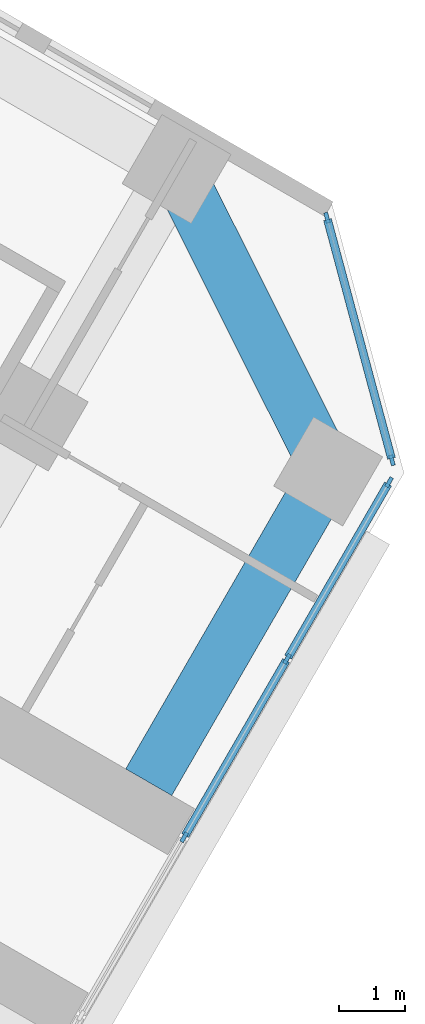
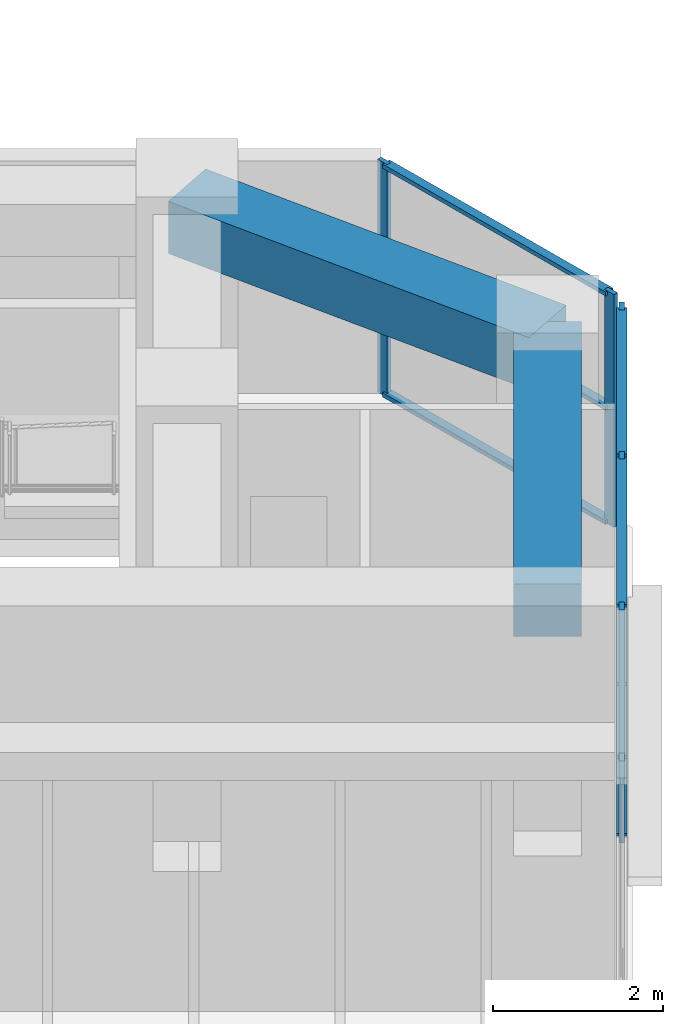
# One storey, part 8 of 20: 12 members, 2 beams, 2 elements without a shape of their own.
"""IFC4 building model written with IfcOpenShell, lengths in metres."""

import ifcopenshell
import ifcopenshell.guid

model = None  # the IFC model being written
_history = None  # IfcOwnerHistory: only IFC2X3 demands one
_inside = {}  # id of a spatial element -> (the spatial element, [elements in it])
_under = {}  # id of a project, library or spatial element -> (it, [spatial elements below it])
_declared = {}  # id of a project -> (the project, [libraries it declares])
_typed = {}  # id of a type object -> (the type object, [elements of that type])
_made_of = {}  # id of a material, layer set ... -> (it, [elements and type objects made of it])


def new_model(schema):
    """Start an empty IFC model of exactly this schema.

    Asked for "IFC4X3", IfcOpenShell would pick the latest addendum, in which some entities
    have other attributes; the version numbers below select the first issue.
    IFC2X3 requires an IfcOwnerHistory on every rooted entity: one is made here for all.
    """
    global model, _history
    if schema == "IFC4X3":
        model = ifcopenshell.file(schema_version=(4, 3, 0, 0))
    else:
        model = ifcopenshell.file(schema=schema)
    _inside.clear()
    _under.clear()
    _declared.clear()
    _typed.clear()
    _made_of.clear()
    _history = None
    if model.schema == "IFC2X3":
        org = make("IfcOrganization", Name="unknown")
        user = make(
            "IfcPersonAndOrganization",
            ThePerson=make("IfcPerson", FamilyName="unknown"),
            TheOrganization=org,
        )
        app = make(
            "IfcApplication",
            ApplicationDeveloper=org,
            Version="unknown",
            ApplicationFullName="unknown",
            ApplicationIdentifier="unknown",
        )
        _history = make(
            "IfcOwnerHistory",
            OwningUser=user,
            OwningApplication=app,
            ChangeAction="ADDED",
            CreationDate=0,
        )
    return model


def make(cls, **values):
    """One entity of the class cls with the attributes given. An attribute that is None is left unset."""
    return model.create_entity(
        cls, **{name: value for name, value in values.items() if value is not None}
    )


def rooted(cls, **values):
    """An entity with a GlobalId (a new one), such as an element, a storey or a relation."""
    return make(cls, GlobalId=ifcopenshell.guid.new(), OwnerHistory=_history, **values)


def si_unit(unit_type, name, prefix=None):
    """IfcSIUnit, for example si_unit("LENGTHUNIT", "METRE", prefix="MILLI")."""
    return make("IfcSIUnit", UnitType=unit_type, Prefix=prefix, Name=name)


def assignment(units):
    """IfcUnitAssignment: the units of a project."""
    return None if units is None else make("IfcUnitAssignment", Units=units)


def point(xyz):
    """IfcCartesianPoint."""
    return None if xyz is None else make("IfcCartesianPoint", Coordinates=xyz)


def direction(xyz):
    """IfcDirection."""
    return None if xyz is None else make("IfcDirection", DirectionRatios=xyz)


def frame(location, z_axis=None, x_axis=None):
    """IfcAxis2Placement3D, a coordinate frame: its origin and axes. An axis left out is left unset."""
    return make(
        "IfcAxis2Placement3D",
        Location=point(location),
        Axis=direction(z_axis),
        RefDirection=direction(x_axis),
    )


def frame_2d(location, x_axis=None):
    """IfcAxis2Placement2D, a coordinate frame in the plane: its origin and x axis."""
    return make(
        "IfcAxis2Placement2D", Location=point(location), RefDirection=direction(x_axis)
    )


def origin():
    """The frame at (0, 0, 0) with its axes left unset."""
    return frame((0.0, 0.0, 0.0))


def origin_2d():
    """The frame at (0, 0) in the plane with its x axis left unset."""
    return frame_2d((0.0, 0.0))


def place(relative_to, where):
    """IfcLocalPlacement: puts the frame where relative to a parent placement (None: the world)."""
    return make(
        "IfcLocalPlacement", PlacementRelTo=relative_to, RelativePlacement=where
    )


def context(
    kind, dimensions, precision=None, world=None, true_north=None, identifier=None
):
    """IfcGeometricRepresentationContext, for example the 3D "Model" context."""
    return make(
        "IfcGeometricRepresentationContext",
        ContextIdentifier=identifier,
        ContextType=kind,
        CoordinateSpaceDimension=dimensions,
        Precision=precision,
        WorldCoordinateSystem=world,
        TrueNorth=true_north,
    )


def subcontext(parent, identifier, kind, view, scale=None):
    """IfcGeometricRepresentationSubContext, for example "Body" below "Model"."""
    return make(
        "IfcGeometricRepresentationSubContext",
        ContextIdentifier=identifier,
        ContextType=kind,
        ParentContext=parent,
        TargetScale=scale,
        TargetView=view,
    )


def project(units=None, contexts=None):
    """IfcProject with its units and contexts."""
    return rooted(
        "IfcProject",
        Name="project",
        RepresentationContexts=contexts,
        UnitsInContext=assignment(units),
    )


def spatial(cls, under=None, at=None, **own):
    """A site, building, storey or space (cls), placed at a placement, below another one or the project."""
    s = rooted(cls, ObjectPlacement=at, **own)
    if under is not None:
        _under.setdefault(under.id(), (under, []))[1].append(s)
    return s


def profile(cls, at=None, kind="AREA", **sizes):
    """A parametric profile (cls). Its sizes go by their IFC names, for example OverallWidth=200.0."""
    return make(cls, ProfileType=kind, Position=at, **sizes)


def rectangle(**sizes):
    """IfcRectangleProfileDef."""
    return profile("IfcRectangleProfileDef", **sizes)


def extrude(swept, where, along, depth):
    """IfcExtrudedAreaSolid: the profile swept, set in the frame where, extruded along a direction by depth."""
    return make(
        "IfcExtrudedAreaSolid",
        SweptArea=swept,
        Position=where,
        ExtrudedDirection=direction(along),
        Depth=depth,
    )


def shape(context_of_items, identifier, shape_type, items):
    """IfcShapeRepresentation: the items that make up one representation, for example the "Body"."""
    return make(
        "IfcShapeRepresentation",
        ContextOfItems=context_of_items,
        RepresentationIdentifier=identifier,
        RepresentationType=shape_type,
        Items=items,
    )


def material(Name=None, Category=None):
    """IfcMaterial."""
    return make("IfcMaterial", Name=Name, Category=Category)


def material_profile(
    of_material, cross_section, Name=None, Category=None, Priority=None
):
    """IfcMaterialProfile: a cross section and its material."""
    return make(
        "IfcMaterialProfile",
        Name=Name,
        Material=of_material,
        Profile=cross_section,
        Priority=Priority,
        Category=Category,
    )


def profile_set(profiles, Name=None, composite=None):
    """IfcMaterialProfileSet."""
    return make(
        "IfcMaterialProfileSet",
        Name=Name,
        MaterialProfiles=profiles,
        CompositeProfile=composite,
    )


def made_of(thing, what):
    """Note that an element or type object is made of a material, layer set ...; save() writes the relation."""
    if what is not None:
        _made_of.setdefault(what.id(), (what, []))[1].append(thing)
    return thing


def type_object(cls, material=None, **own):
    """A type object (cls), such as IfcWallType, which elements share."""
    return made_of(rooted(cls, **own), material)


def element(
    cls,
    number,
    at=None,
    inside=None,
    cuts=None,
    type_object=None,
    material=None,
    context=None,
    identifier="Body",
    shape_type=None,
    held_by="IfcProductDefinitionShape",
    body=None,
    shapes=None,
    **own,
):
    """One element of the class cls, such as IfcWall. Its Tag is "e" and its number.

    at: its placement. inside: the storey or other place that contains it. cuts: it is an
    opening in that element (IfcRelVoidsElement). A single representation is given by context,
    identifier, shape_type and body (its items); several are given by shapes. held_by: the class
    of the entity that holds the representations. save() writes the other relations.
    """
    e = rooted(cls, Tag="e%d" % number, ObjectPlacement=at, **own)
    if body is not None:
        shapes = [shape(context, identifier, shape_type, body)]
    if shapes is not None:
        e.Representation = make(held_by, Representations=shapes)
    if inside is not None:
        _inside.setdefault(inside.id(), (inside, []))[1].append(e)
    if cuts is not None:
        rooted(
            "IfcRelVoidsElement", RelatingBuildingElement=cuts, RelatedOpeningElement=e
        )
    if type_object is not None:
        _typed.setdefault(type_object.id(), (type_object, []))[1].append(e)
    return made_of(e, material)


def aggregate(whole, parts):
    """IfcRelAggregates: a whole, such as a stair, and the parts it consists of."""
    return rooted("IfcRelAggregates", RelatingObject=whole, RelatedObjects=parts)


def save(model, path):
    """Write the relations noted so far, then the file.

    IfcRelAggregates (storeys below a building ...), IfcRelContainedInSpatialStructure (elements
    in a storey), IfcRelDefinesByType, IfcRelAssociatesMaterial and IfcRelDeclares: one each for
    every whole, place, type object, material and project.
    """
    for whole, parts in _under.values():
        aggregate(whole, parts)
    for where, things in _inside.values():
        rooted(
            "IfcRelContainedInSpatialStructure",
            RelatedElements=things,
            RelatingStructure=where,
        )
    for kind, things in _typed.values():
        rooted("IfcRelDefinesByType", RelatedObjects=things, RelatingType=kind)
    for what, things in _made_of.values():
        rooted("IfcRelAssociatesMaterial", RelatedObjects=things, RelatingMaterial=what)
    for by, libraries in _declared.values():
        rooted("IfcRelDeclares", RelatingContext=by, RelatedDefinitions=libraries)
    model.write(path)


model = new_model("IFC4")

# Units and contexts
model_context = context("Model", 3, precision=1e-05, world=origin(), true_north=direction((0.0, 1.0)))
body_context = subcontext(model_context, "Body", "Model", "MODEL_VIEW")
ifc_project = project(units=[si_unit("LENGTHUNIT", "METRE"), si_unit("AREAUNIT", "SQUARE_METRE"), si_unit("VOLUMEUNIT", "CUBIC_METRE"), si_unit("PLANEANGLEUNIT", "RADIAN"), si_unit("MASSUNIT", "GRAM", prefix="KILO")], contexts=[model_context])

# Site, building, storey
site_placement = place(None, origin())
site = spatial("IfcSite", under=ifc_project, at=site_placement, CompositionType="ELEMENT")
building_placement = place(site_placement, origin())
building = spatial("IfcBuilding", under=site, at=building_placement, Name="Kosmar Iwan School Tower", CompositionType="ELEMENT")
storey_placement = place(building_placement, frame((0.0, 0.0, 127.39990234375)))
storey = spatial("IfcBuildingStorey", under=building, at=storey_placement, Name="L31", CompositionType="ELEMENT", Elevation=127.39990234375)

# Curtain wall, members
ifc_material_1 = material(Name="Dark glass in black aluminium frame", Category="aluminium")
curtain_wall_type_1 = type_object("IfcCurtainWallType", Name="Tower curtain wall dark glass", PredefinedType="USERDEFINED", material=ifc_material_1)
curtain_wall_1_placement = place(storey_placement, origin())
curtain_wall_1 = element("IfcCurtainWall", 1, at=curtain_wall_1_placement, inside=storey, type_object=curtain_wall_type_1, Name="Curtain wall L31-F03", ObjectType="UNITISED CURTAIN WALL", PredefinedType="USERDEFINED")
ifc_material_2 = material(Name="Black anodised aluminium", Category="aluminium")
ifc_material_profile_1 = material_profile(ifc_material_2, rectangle(XDim=0.06005859375, YDim=0.159912109375, at=origin_2d()), Name="MULLION 60x160")
ifc_profile_set_1 = profile_set([ifc_material_profile_1], Name="Black anodised aluminium")
member_type_1 = type_object("IfcMemberType", Name="Mullion 60x160", PredefinedType="MULLION", material=ifc_profile_set_1)
member_1_placement = place(storey_placement, frame((30.631103515625, -15.8955078125, 0.0), z_axis=(0.0, 0.0, 1.0), x_axis=(-0.866025405329, 0.499999997325, 0.0)))
member_1 = element("IfcMember", 2, at=member_1_placement, type_object=member_type_1, Name="CW1 mullion 4", PredefinedType="MULLION", context=body_context, shape_type="SweptSolid", body=[
    extrude(rectangle(XDim=0.06005859375, YDim=0.159912109375, at=origin_2d()), origin(), (0.0, 0.0, 1.0), 3.35009765625),
])
member_2_placement = place(storey_placement, frame((32.1806640625, -13.21142578125, 0.0), z_axis=(0.0, 0.0, 1.0), x_axis=(-0.866025405329, 0.499999997325, 0.0)))
member_2 = element("IfcMember", 3, at=member_2_placement, type_object=member_type_1, Name="CW1 mullion 5", PredefinedType="MULLION", context=body_context, shape_type="SweptSolid", body=[
    extrude(rectangle(XDim=0.06005859375, YDim=0.159912109375, at=origin_2d()), origin(), (0.0, 0.0, 1.0), 3.35009765625),
])
member_3_placement = place(storey_placement, frame((33.71533203125, -10.55322265625, 0.0), z_axis=(0.0, 0.0, 1.0), x_axis=(-0.866025405329, 0.499999997325, 0.0)))
member_3 = element("IfcMember", 4, at=member_3_placement, type_object=member_type_1, Name="CW1 mullion 6", PredefinedType="MULLION", context=body_context, shape_type="SweptSolid", body=[
    extrude(rectangle(XDim=0.06005859375, YDim=0.159912109375, at=origin_2d()), origin(), (0.0, 0.0, 1.0), 3.35009765625),
])

ifc_material_3 = material(Name="Dark glass in black aluminium frame", Category="aluminium")
curtain_wall_type_2 = type_object("IfcCurtainWallType", Name="Chamfer curtain wall dark glass", PredefinedType="USERDEFINED", material=ifc_material_3)
curtain_wall_2_placement = place(storey_placement, origin())
curtain_wall_2 = element("IfcCurtainWall", 5, at=curtain_wall_2_placement, inside=storey, type_object=curtain_wall_type_2, Name="Curtain wall L31-F04", ObjectType="FACETED CURTAIN WALL", PredefinedType="USERDEFINED")
member_4_placement = place(storey_placement, frame((33.7587890625, -10.2236328125, 0.0), z_axis=(0.0, 0.0, 1.0), x_axis=(-0.965925875495, -0.258818861462, 0.0)))
member_4 = element("IfcMember", 6, at=member_4_placement, type_object=member_type_1, Name="CW2 mullion 1", PredefinedType="MULLION", context=body_context, shape_type="SweptSolid", body=[
    extrude(rectangle(XDim=0.06005859375, YDim=0.159912109375, at=origin_2d()), origin(), (0.0, 0.0, 1.0), 3.35009765625),
])
member_5_placement = place(storey_placement, frame((32.78076171875, -6.5732421875, 0.0), z_axis=(0.0, 0.0, 1.0), x_axis=(-0.965925875495, -0.258818861462, 0.0)))
member_5 = element("IfcMember", 7, at=member_5_placement, type_object=member_type_1, Name="CW2 mullion 2", PredefinedType="MULLION", context=body_context, shape_type="SweptSolid", body=[
    extrude(rectangle(XDim=0.06005859375, YDim=0.159912109375, at=origin_2d()), origin(), (0.0, 0.0, 1.0), 3.35009765625),
])

# Beams
ifc_material_4 = material(Name="Concrete C50/60", Category="concrete")
ifc_material_profile_2 = material_profile(ifc_material_4, rectangle(XDim=0.800048828125, YDim=0.75, at=origin_2d()), Name="RC 800x750")
ifc_profile_set_2 = profile_set([ifc_material_profile_2], Name="Concrete C50/60")
beam_type = type_object("IfcBeamType", Name="RC tip beam 800x750", PredefinedType="BEAM", material=ifc_profile_set_2)
beam_1_placement = place(storey_placement, frame((30.517822265625, -5.841552734375, 2.97509765625), z_axis=(0.44809604203, -0.893985423325, 0.0), x_axis=(0.893985423325, 0.44809604203, 0.0)))
element("IfcBeam", 8, at=beam_1_placement, inside=storey, type_object=beam_type, Name="Tip beam CL", PredefinedType="BEAM", context=body_context, shape_type="SweptSolid", body=[
    extrude(rectangle(XDim=0.800048828125, YDim=0.75, at=origin_2d()), origin(), (0.0, 0.0, 1.0), 5.08935546875),
])
beam_2_placement = place(storey_placement, frame((32.79833984375, -10.391357421875, 2.97509765625), z_axis=(-0.499995103361, -0.866028230842, 0.0), x_axis=(0.866028230842, -0.499995103361, 0.0)))
element("IfcBeam", 9, at=beam_2_placement, inside=storey, type_object=beam_type, Name="Tip beam CL to corridor wall", PredefinedType="BEAM", context=body_context, shape_type="SweptSolid", body=[
    extrude(rectangle(XDim=0.800048828125, YDim=0.75, at=origin_2d()), origin(), (0.0, 0.0, 1.0), 5.39990234375),
])

# Member
ifc_material_5 = material(Name="Black anodised aluminium", Category="aluminium")
ifc_material_profile_3 = material_profile(ifc_material_5, rectangle(XDim=0.1201171875, YDim=0.06005859375, at=origin_2d()), Name="TRANSOM 60x120")
ifc_profile_set_3 = profile_set([ifc_material_profile_3], Name="Black anodised aluminium")
member_type_2 = type_object("IfcMemberType", Name="Transom 60x120", PredefinedType="USERDEFINED", material=ifc_profile_set_3)
member_6_placement = place(storey_placement, frame((30.64599609375, -15.869384765625, 0.030029296875), z_axis=(0.500035348339, 0.866004994449, 0.0), x_axis=(-0.866004994449, 0.500035348339, 0.0)))
member_6 = element("IfcMember", 10, at=member_6_placement, type_object=member_type_2, Name="CW1 transom 4.1", ObjectType="TRANSOM", PredefinedType="USERDEFINED", context=body_context, shape_type="SweptSolid", body=[
    extrude(rectangle(XDim=0.1201171875, YDim=0.06005859375, at=origin_2d()), origin(), (0.0, 0.0, 1.0), 3.039306640625),
])

member_7_placement = place(storey_placement, frame((30.64599609375, -15.869384765625, 3.320068359375), z_axis=(0.500035348339, 0.866004994449, 0.0), x_axis=(-0.866004994449, 0.500035348339, 0.0)))
member_7 = element("IfcMember", 11, at=member_7_placement, type_object=member_type_2, Name="CW1 transom 4.2", ObjectType="TRANSOM", PredefinedType="USERDEFINED", context=body_context, shape_type="SweptSolid", body=[
    extrude(rectangle(XDim=0.1201171875, YDim=0.06005859375, at=origin_2d()), origin(), (0.0, 0.0, 1.0), 3.039306640625),
])

member_8_placement = place(storey_placement, frame((32.19580078125, -13.185302734375, 0.030029296875), z_axis=(0.500022102064, 0.866012642776, 0.0), x_axis=(-0.866012642776, 0.500022102064, 0.0)))
member_8 = element("IfcMember", 12, at=member_8_placement, type_object=member_type_2, Name="CW1 transom 5.1", ObjectType="TRANSOM", PredefinedType="USERDEFINED", context=body_context, shape_type="SweptSolid", body=[
    extrude(rectangle(XDim=0.1201171875, YDim=0.06005859375, at=origin_2d()), origin(), (0.0, 0.0, 1.0), 3.009033203125),
])

member_9_placement = place(storey_placement, frame((32.19580078125, -13.185302734375, 3.320068359375), z_axis=(0.500022102064, 0.866012642776, 0.0), x_axis=(-0.866012642776, 0.500022102064, 0.0)))
member_9 = element("IfcMember", 13, at=member_9_placement, type_object=member_type_2, Name="CW1 transom 5.2", ObjectType="TRANSOM", PredefinedType="USERDEFINED", context=body_context, shape_type="SweptSolid", body=[
    extrude(rectangle(XDim=0.1201171875, YDim=0.06005859375, at=origin_2d()), origin(), (0.0, 0.0, 1.0), 3.009033203125),
])

aggregate(curtain_wall_1, [member_1, member_2, member_3, member_6, member_7, member_8, member_9])

member_10_placement = place(storey_placement, frame((33.7509765625, -10.194580078125, 0.030029296875), z_axis=(-0.258843273983, 0.965919333854, 0.0), x_axis=(-0.965919333854, -0.258843273983, 0.0)))
member_10 = element("IfcMember", 14, at=member_10_placement, type_object=member_type_2, Name="CW2 transom 1.1", ObjectType="TRANSOM", PredefinedType="USERDEFINED", context=body_context, shape_type="SweptSolid", body=[
    extrude(rectangle(XDim=0.1201171875, YDim=0.06005859375, at=origin_2d()), origin(), (0.0, 0.0, 1.0), 3.718994140625),
])

member_11_placement = place(storey_placement, frame((33.7509765625, -10.194580078125, 1.675048828125), z_axis=(-0.258843273983, 0.965919333854, 0.0), x_axis=(-0.965919333854, -0.258843273983, 0.0)))
member_11 = element("IfcMember", 15, at=member_11_placement, type_object=member_type_2, Name="CW2 transom 1.2", ObjectType="TRANSOM", PredefinedType="USERDEFINED", context=body_context, shape_type="SweptSolid", body=[
    extrude(rectangle(XDim=0.1201171875, YDim=0.06005859375, at=origin_2d()), origin(), (0.0, 0.0, 1.0), 3.718994140625),
])

member_12_placement = place(storey_placement, frame((33.7509765625, -10.194580078125, 3.320068359375), z_axis=(-0.258843273983, 0.965919333854, 0.0), x_axis=(-0.965919333854, -0.258843273983, 0.0)))
member_12 = element("IfcMember", 16, at=member_12_placement, type_object=member_type_2, Name="CW2 transom 1.3", ObjectType="TRANSOM", PredefinedType="USERDEFINED", context=body_context, shape_type="SweptSolid", body=[
    extrude(rectangle(XDim=0.1201171875, YDim=0.06005859375, at=origin_2d()), origin(), (0.0, 0.0, 1.0), 3.718994140625),
])

aggregate(curtain_wall_2, [member_4, member_5, member_10, member_11, member_12])

save(model, "model.ifc")
